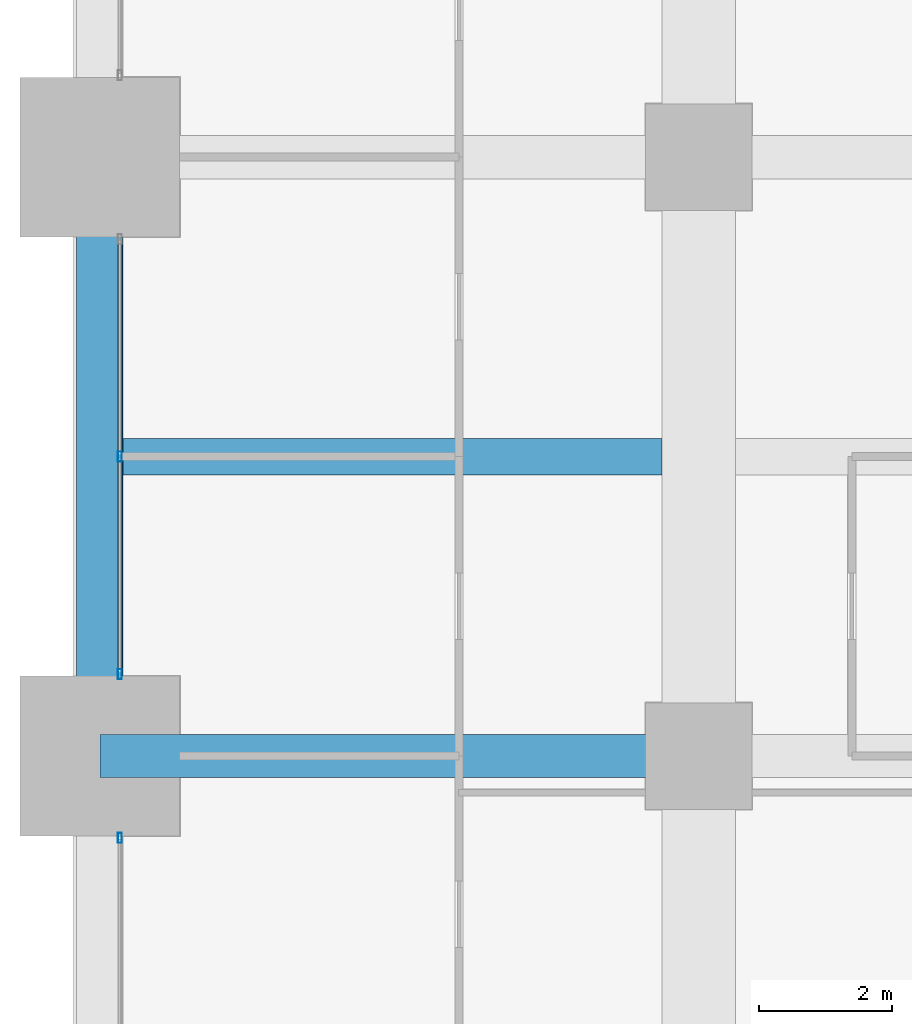
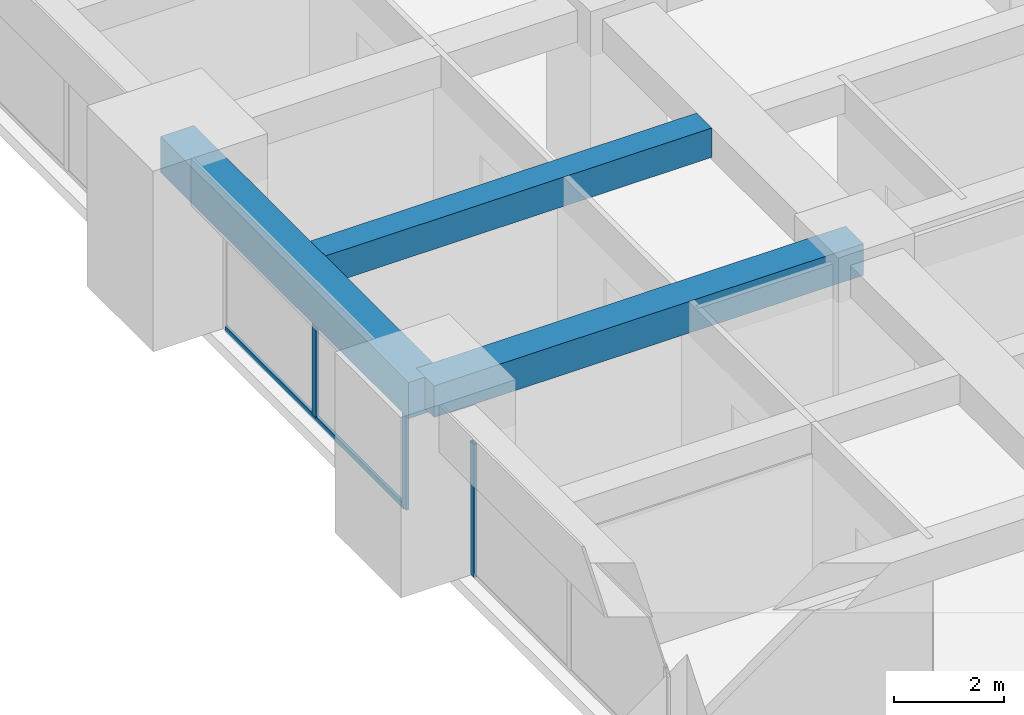
# One storey, part 9 of 34: 4 members, 3 beams, 2 elements without a shape of their own.
"""IFC4 building model written with IfcOpenShell, lengths in metres."""

import ifcopenshell
import ifcopenshell.guid

model = None  # the IFC model being written
_history = None  # IfcOwnerHistory: only IFC2X3 demands one
_inside = {}  # id of a spatial element -> (the spatial element, [elements in it])
_under = {}  # id of a project, library or spatial element -> (it, [spatial elements below it])
_declared = {}  # id of a project -> (the project, [libraries it declares])
_typed = {}  # id of a type object -> (the type object, [elements of that type])
_made_of = {}  # id of a material, layer set ... -> (it, [elements and type objects made of it])


def new_model(schema):
    """Start an empty IFC model of exactly this schema.

    Asked for "IFC4X3", IfcOpenShell would pick the latest addendum, in which some entities
    have other attributes; the version numbers below select the first issue.
    IFC2X3 requires an IfcOwnerHistory on every rooted entity: one is made here for all.
    """
    global model, _history
    if schema == "IFC4X3":
        model = ifcopenshell.file(schema_version=(4, 3, 0, 0))
    else:
        model = ifcopenshell.file(schema=schema)
    _inside.clear()
    _under.clear()
    _declared.clear()
    _typed.clear()
    _made_of.clear()
    _history = None
    if model.schema == "IFC2X3":
        org = make("IfcOrganization", Name="unknown")
        user = make(
            "IfcPersonAndOrganization",
            ThePerson=make("IfcPerson", FamilyName="unknown"),
            TheOrganization=org,
        )
        app = make(
            "IfcApplication",
            ApplicationDeveloper=org,
            Version="unknown",
            ApplicationFullName="unknown",
            ApplicationIdentifier="unknown",
        )
        _history = make(
            "IfcOwnerHistory",
            OwningUser=user,
            OwningApplication=app,
            ChangeAction="ADDED",
            CreationDate=0,
        )
    return model


def make(cls, **values):
    """One entity of the class cls with the attributes given. An attribute that is None is left unset."""
    return model.create_entity(
        cls, **{name: value for name, value in values.items() if value is not None}
    )


def rooted(cls, **values):
    """An entity with a GlobalId (a new one), such as an element, a storey or a relation."""
    return make(cls, GlobalId=ifcopenshell.guid.new(), OwnerHistory=_history, **values)


def si_unit(unit_type, name, prefix=None):
    """IfcSIUnit, for example si_unit("LENGTHUNIT", "METRE", prefix="MILLI")."""
    return make("IfcSIUnit", UnitType=unit_type, Prefix=prefix, Name=name)


def assignment(units):
    """IfcUnitAssignment: the units of a project."""
    return None if units is None else make("IfcUnitAssignment", Units=units)


def point(xyz):
    """IfcCartesianPoint."""
    return None if xyz is None else make("IfcCartesianPoint", Coordinates=xyz)


def direction(xyz):
    """IfcDirection."""
    return None if xyz is None else make("IfcDirection", DirectionRatios=xyz)


def frame(location, z_axis=None, x_axis=None):
    """IfcAxis2Placement3D, a coordinate frame: its origin and axes. An axis left out is left unset."""
    return make(
        "IfcAxis2Placement3D",
        Location=point(location),
        Axis=direction(z_axis),
        RefDirection=direction(x_axis),
    )


def frame_2d(location, x_axis=None):
    """IfcAxis2Placement2D, a coordinate frame in the plane: its origin and x axis."""
    return make(
        "IfcAxis2Placement2D", Location=point(location), RefDirection=direction(x_axis)
    )


def origin():
    """The frame at (0, 0, 0) with its axes left unset."""
    return frame((0.0, 0.0, 0.0))


def origin_2d():
    """The frame at (0, 0) in the plane with its x axis left unset."""
    return frame_2d((0.0, 0.0))


def place(relative_to, where):
    """IfcLocalPlacement: puts the frame where relative to a parent placement (None: the world)."""
    return make(
        "IfcLocalPlacement", PlacementRelTo=relative_to, RelativePlacement=where
    )


def context(
    kind, dimensions, precision=None, world=None, true_north=None, identifier=None
):
    """IfcGeometricRepresentationContext, for example the 3D "Model" context."""
    return make(
        "IfcGeometricRepresentationContext",
        ContextIdentifier=identifier,
        ContextType=kind,
        CoordinateSpaceDimension=dimensions,
        Precision=precision,
        WorldCoordinateSystem=world,
        TrueNorth=true_north,
    )


def subcontext(parent, identifier, kind, view, scale=None):
    """IfcGeometricRepresentationSubContext, for example "Body" below "Model"."""
    return make(
        "IfcGeometricRepresentationSubContext",
        ContextIdentifier=identifier,
        ContextType=kind,
        ParentContext=parent,
        TargetScale=scale,
        TargetView=view,
    )


def project(units=None, contexts=None):
    """IfcProject with its units and contexts."""
    return rooted(
        "IfcProject",
        Name="project",
        RepresentationContexts=contexts,
        UnitsInContext=assignment(units),
    )


def spatial(cls, under=None, at=None, **own):
    """A site, building, storey or space (cls), placed at a placement, below another one or the project."""
    s = rooted(cls, ObjectPlacement=at, **own)
    if under is not None:
        _under.setdefault(under.id(), (under, []))[1].append(s)
    return s


def profile(cls, at=None, kind="AREA", **sizes):
    """A parametric profile (cls). Its sizes go by their IFC names, for example OverallWidth=200.0."""
    return make(cls, ProfileType=kind, Position=at, **sizes)


def rectangle(**sizes):
    """IfcRectangleProfileDef."""
    return profile("IfcRectangleProfileDef", **sizes)


def hollow_rectangle(**sizes):
    """IfcRectangleHollowProfileDef."""
    return profile("IfcRectangleHollowProfileDef", **sizes)


def extrude(swept, where, along, depth):
    """IfcExtrudedAreaSolid: the profile swept, set in the frame where, extruded along a direction by depth."""
    return make(
        "IfcExtrudedAreaSolid",
        SweptArea=swept,
        Position=where,
        ExtrudedDirection=direction(along),
        Depth=depth,
    )


def shape(context_of_items, identifier, shape_type, items):
    """IfcShapeRepresentation: the items that make up one representation, for example the "Body"."""
    return make(
        "IfcShapeRepresentation",
        ContextOfItems=context_of_items,
        RepresentationIdentifier=identifier,
        RepresentationType=shape_type,
        Items=items,
    )


def material(Name=None, Category=None):
    """IfcMaterial."""
    return make("IfcMaterial", Name=Name, Category=Category)


def material_profile(
    of_material, cross_section, Name=None, Category=None, Priority=None
):
    """IfcMaterialProfile: a cross section and its material."""
    return make(
        "IfcMaterialProfile",
        Name=Name,
        Material=of_material,
        Profile=cross_section,
        Priority=Priority,
        Category=Category,
    )


def profile_set(profiles, Name=None, composite=None):
    """IfcMaterialProfileSet."""
    return make(
        "IfcMaterialProfileSet",
        Name=Name,
        MaterialProfiles=profiles,
        CompositeProfile=composite,
    )


def made_of(thing, what):
    """Note that an element or type object is made of a material, layer set ...; save() writes the relation."""
    if what is not None:
        _made_of.setdefault(what.id(), (what, []))[1].append(thing)
    return thing


def type_object(cls, material=None, **own):
    """A type object (cls), such as IfcWallType, which elements share."""
    return made_of(rooted(cls, **own), material)


def element(
    cls,
    number,
    at=None,
    inside=None,
    cuts=None,
    type_object=None,
    material=None,
    context=None,
    identifier="Body",
    shape_type=None,
    held_by="IfcProductDefinitionShape",
    body=None,
    shapes=None,
    **own,
):
    """One element of the class cls, such as IfcWall. Its Tag is "e" and its number.

    at: its placement. inside: the storey or other place that contains it. cuts: it is an
    opening in that element (IfcRelVoidsElement). A single representation is given by context,
    identifier, shape_type and body (its items); several are given by shapes. held_by: the class
    of the entity that holds the representations. save() writes the other relations.
    """
    e = rooted(cls, Tag="e%d" % number, ObjectPlacement=at, **own)
    if body is not None:
        shapes = [shape(context, identifier, shape_type, body)]
    if shapes is not None:
        e.Representation = make(held_by, Representations=shapes)
    if inside is not None:
        _inside.setdefault(inside.id(), (inside, []))[1].append(e)
    if cuts is not None:
        rooted(
            "IfcRelVoidsElement", RelatingBuildingElement=cuts, RelatedOpeningElement=e
        )
    if type_object is not None:
        _typed.setdefault(type_object.id(), (type_object, []))[1].append(e)
    return made_of(e, material)


def aggregate(whole, parts):
    """IfcRelAggregates: a whole, such as a stair, and the parts it consists of."""
    return rooted("IfcRelAggregates", RelatingObject=whole, RelatedObjects=parts)


def save(model, path):
    """Write the relations noted so far, then the file.

    IfcRelAggregates (storeys below a building ...), IfcRelContainedInSpatialStructure (elements
    in a storey), IfcRelDefinesByType, IfcRelAssociatesMaterial and IfcRelDeclares: one each for
    every whole, place, type object, material and project.
    """
    for whole, parts in _under.values():
        aggregate(whole, parts)
    for where, things in _inside.values():
        rooted(
            "IfcRelContainedInSpatialStructure",
            RelatedElements=things,
            RelatingStructure=where,
        )
    for kind, things in _typed.values():
        rooted("IfcRelDefinesByType", RelatedObjects=things, RelatingType=kind)
    for what, things in _made_of.values():
        rooted("IfcRelAssociatesMaterial", RelatedObjects=things, RelatingMaterial=what)
    for by, libraries in _declared.values():
        rooted("IfcRelDeclares", RelatingContext=by, RelatedDefinitions=libraries)
    model.write(path)


model = new_model("IFC4")

# Units and contexts
model_context = context("Model", 3, precision=1e-05, world=origin(), true_north=direction((0.0, 1.0)))
body_context = subcontext(model_context, "Body", "Model", "MODEL_VIEW")
ifc_project = project(units=[si_unit("LENGTHUNIT", "METRE"), si_unit("AREAUNIT", "SQUARE_METRE"), si_unit("VOLUMEUNIT", "CUBIC_METRE"), si_unit("PLANEANGLEUNIT", "RADIAN"), si_unit("MASSUNIT", "GRAM", prefix="KILO")], contexts=[model_context])

# Site, building, storey
site_placement = place(None, origin())
site = spatial("IfcSite", under=ifc_project, at=site_placement, CompositionType="ELEMENT")
building_placement = place(site_placement, origin())
building = spatial("IfcBuilding", under=site, at=building_placement, Name="Zorevar Civic Tower", CompositionType="ELEMENT")
storey_placement = place(building_placement, frame((0.0, 0.0, 170.199951171875)))
storey = spatial("IfcBuildingStorey", under=building, at=storey_placement, Name="L41", CompositionType="ELEMENT", Elevation=170.199951171875)

# Beams
ifc_material_1 = material(Name="Concrete C50/60", Category="concrete")
ifc_material_profile_1 = material_profile(ifc_material_1, rectangle(XDim=0.550048828125, YDim=0.64990234375, at=origin_2d()), Name="RC 550x650")
ifc_profile_set_1 = profile_set([ifc_material_profile_1], Name="Concrete C50/60")
beam_type_1 = type_object("IfcBeamType", Name="Beam RC 550x650", PredefinedType="BEAM", material=ifc_profile_set_1)
beam_1_placement = place(storey_placement, frame((0.35009765625, 22.5, 3.425048828125), z_axis=(1.0, 0.0, 0.0), x_axis=(0.0, 1.0, 0.0)))
element("IfcBeam", 1, at=beam_1_placement, inside=storey, type_object=beam_type_1, Name="Secondary beam L42", PredefinedType="BEAM", context=body_context, shape_type="SweptSolid", body=[
    extrude(rectangle(XDim=0.550048828125, YDim=0.64990234375, at=origin_2d()), origin(), (0.0, 0.0, 1.0), 8.099853515625),
])
ifc_material_2 = material(Name="Concrete C50/60", Category="concrete")
ifc_material_profile_2 = material_profile(ifc_material_2, rectangle(XDim=0.64990234375, YDim=0.699951171875, at=origin_2d()), Name="RC 650x700")
ifc_profile_set_2 = profile_set([ifc_material_profile_2], Name="Concrete C50/60")
beam_type_2 = type_object("IfcBeamType", Name="Beam RC 650x700", PredefinedType="BEAM", material=ifc_profile_set_2)
beam_2_placement = place(storey_placement, frame((0.0, 18.0, 3.400146484375), z_axis=(1.0, 0.0, 0.0), x_axis=(0.0, 1.0, 0.0)))
element("IfcBeam", 2, at=beam_2_placement, inside=storey, type_object=beam_type_2, Name="Girder L42", PredefinedType="BEAM", context=body_context, shape_type="SweptSolid", body=[
    extrude(rectangle(XDim=0.64990234375, YDim=0.699951171875, at=origin_2d()), origin(), (0.0, 0.0, 1.0), 9.0),
])

# Curtain wall, member
ifc_material_3 = material(Name="Dark grey solar-control glass in black aluminium frame", Category="aluminium")
curtain_wall_type = type_object("IfcCurtainWallType", Name="Curtain wall CW4 high zone", PredefinedType="NOTDEFINED", material=ifc_material_3)
curtain_wall_1_placement = place(storey_placement, origin())
curtain_wall_1 = element("IfcCurtainWall", 3, at=curtain_wall_1_placement, inside=storey, type_object=curtain_wall_type, Name="CW4 L41", PredefinedType="NOTDEFINED")
ifc_material_4 = material(Name="Aluminium, black anodised", Category="aluminium")
ifc_material_profile_3 = material_profile(ifc_material_4, hollow_rectangle(XDim=0.06005859375, YDim=0.14990234375, WallThickness=0.00390625, at=origin_2d()), Name="AL 150x60x4")
ifc_profile_set_3 = profile_set([ifc_material_profile_3], Name="Aluminium, black anodised")
member_type_1 = type_object("IfcMemberType", Name="CW4 mullion AL 150x60x4", PredefinedType="MULLION", material=ifc_profile_set_3)
member_1_placement = place(storey_placement, frame((0.300048828125, 16.77001953125, 0.0), z_axis=(0.0, 0.0, 1.0), x_axis=(-1.0, 0.0, 0.0)))
member_1 = element("IfcMember", 4, at=member_1_placement, type_object=member_type_1, Name="CW4 mullion 3", PredefinedType="MULLION", context=body_context, shape_type="SweptSolid", body=[
    extrude(hollow_rectangle(XDim=0.06005859375, YDim=0.14990234375, WallThickness=0.00390625, at=origin_2d()), origin(), (0.0, 0.0, 1.0), 2.949951171875),
])
aggregate(curtain_wall_1, [member_1])

# Curtain wall, members
curtain_wall_2_placement = place(storey_placement, origin())
curtain_wall_2 = element("IfcCurtainWall", 5, at=curtain_wall_2_placement, inside=storey, type_object=curtain_wall_type, Name="CW4 L41", PredefinedType="NOTDEFINED")
member_2_placement = place(storey_placement, frame((0.300048828125, 19.22998046875, 0.0), z_axis=(0.0, 0.0, 1.0), x_axis=(-1.0, 0.0, 0.0)))
member_2 = element("IfcMember", 6, at=member_2_placement, type_object=member_type_1, Name="CW4 mullion 1", PredefinedType="MULLION", context=body_context, shape_type="SweptSolid", body=[
    extrude(hollow_rectangle(XDim=0.06005859375, YDim=0.14990234375, WallThickness=0.00390625, at=origin_2d()), origin(), (0.0, 0.0, 1.0), 2.949951171875),
])
member_3_placement = place(storey_placement, frame((0.300048828125, 22.5, 0.06005859375), z_axis=(0.0, 0.0, 1.0), x_axis=(-1.0, 0.0, 0.0)))
member_3 = element("IfcMember", 7, at=member_3_placement, type_object=member_type_1, Name="CW4 mullion 2", PredefinedType="MULLION", context=body_context, shape_type="SweptSolid", body=[
    extrude(hollow_rectangle(XDim=0.06005859375, YDim=0.14990234375, WallThickness=0.00390625, at=origin_2d()), origin(), (0.0, 0.0, 1.0), 2.889892578125),
])
ifc_material_5 = material(Name="Aluminium, black anodised", Category="aluminium")
ifc_material_profile_4 = material_profile(ifc_material_5, hollow_rectangle(XDim=0.06005859375, YDim=0.1201171875, WallThickness=0.0029296875, at=origin_2d()), Name="AL 120x60x3")
ifc_profile_set_4 = profile_set([ifc_material_profile_4], Name="Aluminium, black anodised")
member_type_2 = type_object("IfcMemberType", Name="CW4 transom AL 120x60x3", PredefinedType="USERDEFINED", material=ifc_profile_set_4)
member_4_placement = place(storey_placement, frame((0.300048828125, 19.260009765625, 0.030029296875), z_axis=(0.0, 1.0, 0.0), x_axis=(-1.0, 0.0, 0.0)))
member_4 = element("IfcMember", 8, at=member_4_placement, type_object=member_type_2, Name="CW4 sill transom", ObjectType="TRANSOM", PredefinedType="USERDEFINED", context=body_context, shape_type="SweptSolid", body=[
    extrude(hollow_rectangle(XDim=0.06005859375, YDim=0.1201171875, WallThickness=0.0029296875, at=origin_2d()), origin(), (0.0, 0.0, 1.0), 6.47998046875),
])
aggregate(curtain_wall_2, [member_2, member_3, member_4])

# Beam
ifc_material_6 = material(Name="Concrete C50/60", Category="concrete")
ifc_material_profile_5 = material_profile(ifc_material_6, rectangle(XDim=0.699951171875, YDim=0.800048828125, at=origin_2d()), Name="RC 700x800")
ifc_profile_set_5 = profile_set([ifc_material_profile_5], Name="Concrete C50/60")
beam_type_3 = type_object("IfcBeamType", Name="Edge beam RC 700x800", PredefinedType="SPANDREL", material=ifc_profile_set_5)
beam_3_placement = place(storey_placement, frame((0.0, 18.0, 3.35009765625), z_axis=(0.0, 1.0, 0.0), x_axis=(-1.0, 0.0, 0.0)))
element("IfcBeam", 9, at=beam_3_placement, inside=storey, type_object=beam_type_3, Name="Edge beam L42", PredefinedType="SPANDREL", context=body_context, shape_type="SweptSolid", body=[
    extrude(rectangle(XDim=0.699951171875, YDim=0.800048828125, at=origin_2d()), origin(), (0.0, 0.0, 1.0), 9.0),
])

save(model, "model.ifc")
